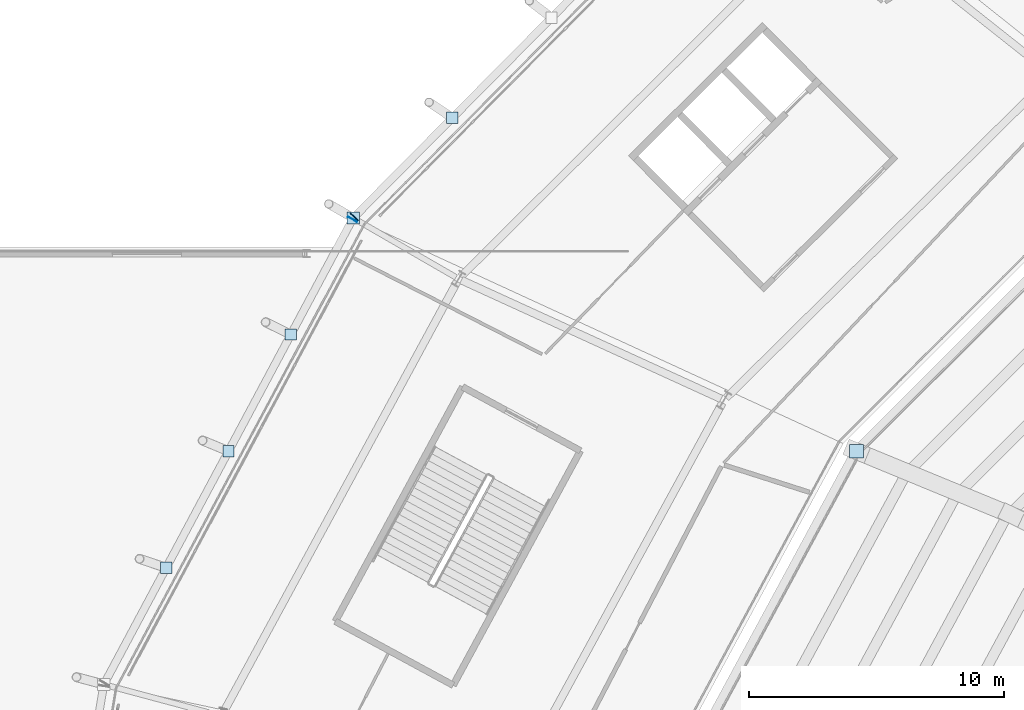
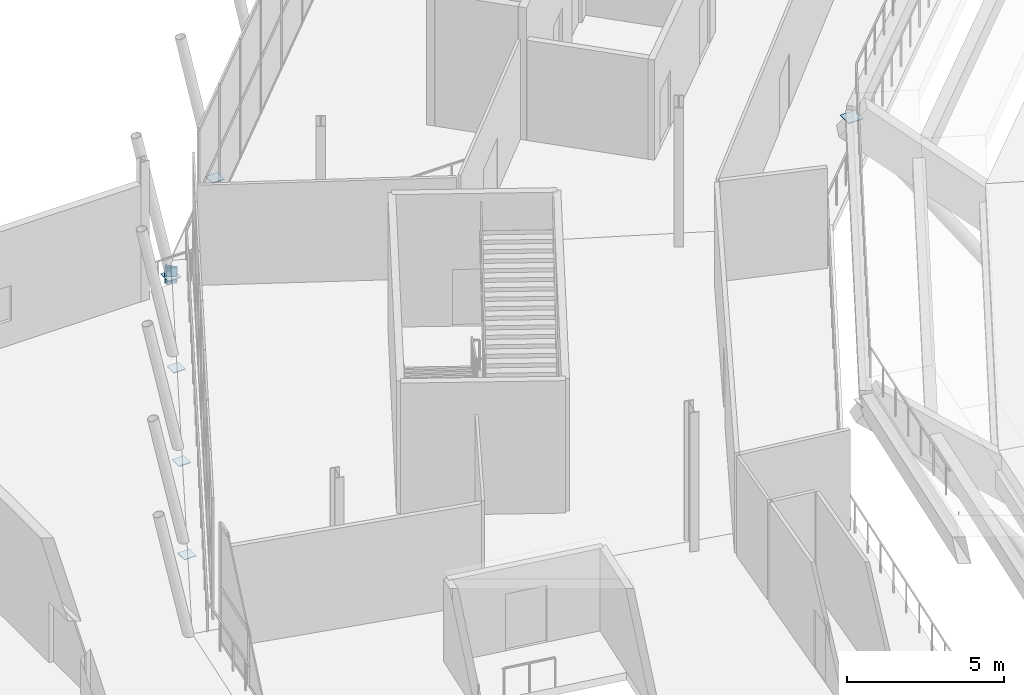
# One storey, part 80 of 126: 8 plates.
"""IFC4 building model written with IfcOpenShell, lengths in metres."""

from ifc_helpers import new_model, si_unit, direction, frame, origin, origin_2d, place, context, subcontext, project, spatial, rectangle, extrude, material, layer, layer_set, type_object, element, save


model = new_model("IFC4")

# Units and contexts
model_context = context("Model", 3, precision=1e-05, world=origin(), true_north=direction((0.0, 1.0)))
body_context = subcontext(model_context, "Body", "Model", "MODEL_VIEW")
ifc_project = project(units=[si_unit("LENGTHUNIT", "METRE"), si_unit("AREAUNIT", "SQUARE_METRE"), si_unit("VOLUMEUNIT", "CUBIC_METRE"), si_unit("PLANEANGLEUNIT", "RADIAN"), si_unit("MASSUNIT", "GRAM", prefix="KILO")], contexts=[model_context])

# Site, building, storey
site_placement = place(None, origin())
site = spatial("IfcSite", under=ifc_project, at=site_placement, CompositionType="ELEMENT")
building_placement = place(site_placement, origin())
building = spatial("IfcBuilding", under=site, at=building_placement, Name="Zlatoyarsky Gate Stadium", CompositionType="ELEMENT")
storey_placement = place(building_placement, frame((0.0, 0.0, 20.800048828125)))
storey = spatial("IfcBuildingStorey", under=building, at=storey_placement, Name="L04", CompositionType="ELEMENT", Elevation=20.800048828125)

# Plates
ifc_material = material(Name="Steel S355", Category="steel")
ifc_layer = layer(ifc_material, 0.02392578125)
ifc_layer_set = layer_set([ifc_layer], Name="Steel S355")
plate_type = type_object("IfcPlateType", Name="STEEL HOLLOW CHORD SPLICE SHEET 24", PredefinedType="SHEET", material=ifc_layer_set)
for number, where, z_axis, x_axis, name in (
    (1, (26.37109375, 117.927490234375, -0.85009765625), (0.0, 0.0, 1.0), (-0.703590883794, -0.71060528301, 0.0), "Hollow end cap ND-SP1 CAP-L04-SPD-09 B"),
    (2, (26.30078125, 117.831787109375, -0.85009765625), (0.0, 0.0, 1.0), (-0.471375588462, -0.881932568059, 0.0), "Hollow end cap ND-SP1 CAP-L04-SPD-10 A"),
):
    element("IfcPlate", number, at=place(storey_placement, frame(where, z_axis=z_axis, x_axis=x_axis)), inside=storey, type_object=plate_type, Name=name, PredefinedType="SHEET", context=body_context, shape_type="SweptSolid", body=[
        extrude(rectangle(XDim=0.02392578125, YDim=0.39990234375, at=origin_2d()), origin(), (0.0, 0.0, 1.0), 0.60009765625),
    ])
plate_1_placement = place(storey_placement, frame((26.3291015625, 117.884765625, -0.612060546875), z_axis=(0.0, 0.0, 1.0), x_axis=(1.0, 0.0, 0.0)))
element("IfcPlate", 3, at=plate_1_placement, inside=storey, type_object=plate_type, Name="Node closure plate ND-SP1 NCAP-L04-RSTR-10", PredefinedType="SHEET", context=body_context, shape_type="SweptSolid", body=[
    extrude(rectangle(XDim=0.47998046875, YDim=0.47998046875, at=origin_2d()), origin(), (0.0, 0.0, 1.0), 0.02392578125),
])
plate_2_placement = place(storey_placement, frame((46.048095703125, 108.75, 4.177978515625), z_axis=(0.0, 0.0, 1.0), x_axis=(1.0, 0.0, 0.0)))
element("IfcPlate", 4, at=plate_2_placement, inside=storey, type_object=plate_type, Name="Node closure plate ND-SP1 NCAP-UTOP-10", PredefinedType="SHEET", context=body_context, shape_type="SweptSolid", body=[
    extrude(rectangle(XDim=0.5400390625, YDim=0.5400390625, at=origin_2d()), origin(), (0.0, 0.0, 1.0), 0.02392578125),
])
for number, where, z_axis, x_axis, name in (
    (5, (30.21337890625, 121.807861328125, -0.56201171875), (0.0, 0.0, 1.0), (1.0, 0.0, 0.0), "Node closure plate ND-SP1 NCAP-RIB-09-3-2T"),
    (6, (23.88720703125, 113.316162109375, -0.56201171875), (0.0, 0.0, 1.0), (1.0, 0.0, 0.0), "Node closure plate ND-SP1 NCAP-RIB-10-1-2T"),
    (7, (21.4453125, 108.747802734375, -0.56201171875), (0.0, 0.0, 1.0), (1.0, 0.0, 0.0), "Node closure plate ND-SP1 NCAP-RIB-10-2-2T"),
    (8, (19.003662109375, 104.17919921875, -0.56201171875), (0.0, 0.0, 1.0), (1.0, 0.0, 0.0), "Node closure plate ND-SP1 NCAP-RIB-10-3-2T"),
):
    element("IfcPlate", number, at=place(storey_placement, frame(where, z_axis=z_axis, x_axis=x_axis)), inside=storey, type_object=plate_type, Name=name, PredefinedType="SHEET", context=body_context, shape_type="SweptSolid", body=[
        extrude(rectangle(XDim=0.43994140625, YDim=0.43994140625, at=origin_2d()), origin(), (0.0, 0.0, 1.0), 0.02392578125),
    ])

save(model, "model.ifc")
